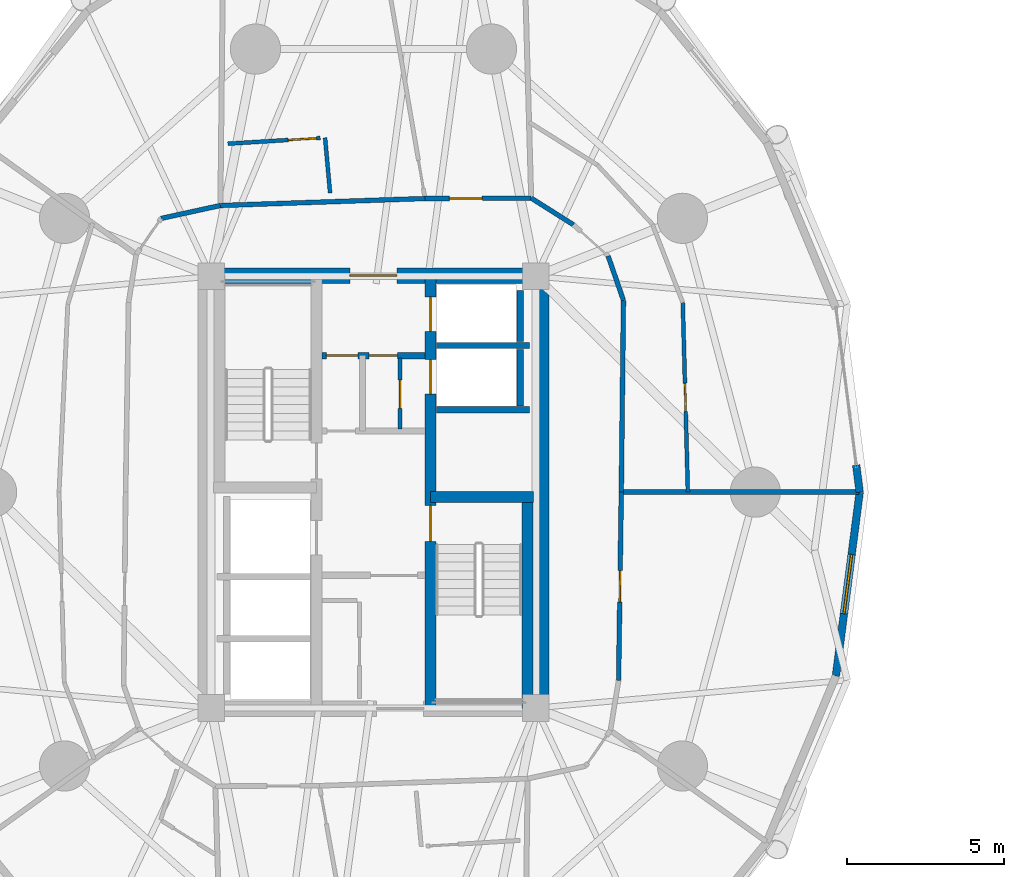
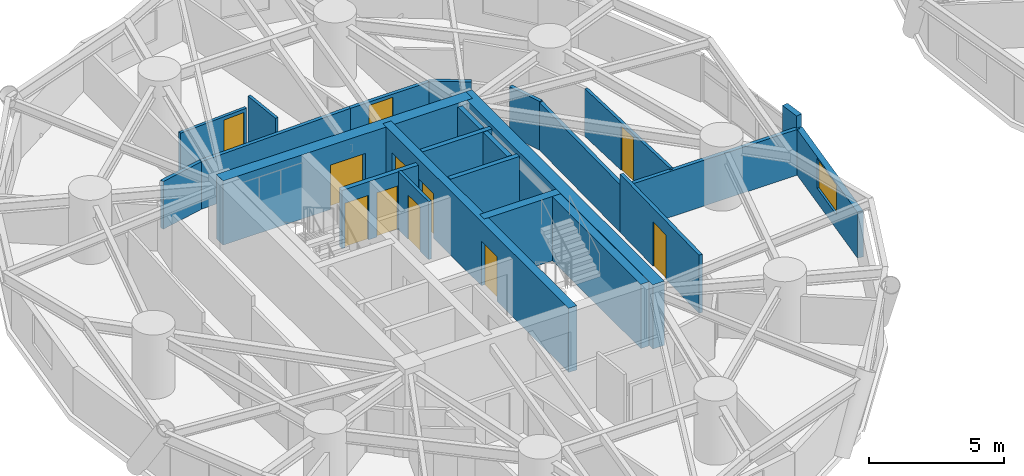
# One storey, part 11 of 18: 24 walls, 11 doors, 1 window, 12 openings.
"""IFC4 building model written with IfcOpenShell, lengths in metres."""

from ifc_helpers import new_model, si_unit, direction, frame, frame_2d, origin, place, context, subcontext, project, spatial, rectangle, extrude, source, transform, mapped, material, layer, layer_set, type_object, element, fill, save


model = new_model("IFC4")

# Units and contexts
model_context = context("Model", 3, precision=1e-05, world=origin(), true_north=direction((0.0, 1.0)))
body_context = subcontext(model_context, "Body", "Model", "MODEL_VIEW")
ifc_project = project(units=[si_unit("LENGTHUNIT", "METRE"), si_unit("AREAUNIT", "SQUARE_METRE"), si_unit("VOLUMEUNIT", "CUBIC_METRE"), si_unit("PLANEANGLEUNIT", "RADIAN"), si_unit("MASSUNIT", "GRAM", prefix="KILO")], contexts=[model_context])

# Site, building, storey
site_placement = place(None, origin())
site = spatial("IfcSite", under=ifc_project, at=site_placement, CompositionType="ELEMENT")
building_placement = place(site_placement, origin())
building = spatial("IfcBuilding", under=site, at=building_placement, Name="Cununo Teusaquillo Station Towers", CompositionType="ELEMENT")
storey_placement = place(building_placement, frame((0.0, 0.0, 45.280029296875)))
storey = spatial("IfcBuildingStorey", under=building, at=storey_placement, Name="L13", CompositionType="ELEMENT", Elevation=45.280029296875)

# Walls
ifc_material_1 = material(Name="Concrete C50/60", Category="concrete")
ifc_layer_1 = layer(ifc_material_1, 0.199951171875)
ifc_layer_set_1 = layer_set([ifc_layer_1], Name="Concrete C50/60")
wall_type_1 = type_object("IfcWallType", Name="WL-CORE-200", PredefinedType="SHEAR", material=ifc_layer_set_1)
for number, where, z_axis, x_axis, name in (
    (1, (18.510009765625, 27.1298828125, 0.0), (0.0, 0.0, 1.0), (1.0, 0.0, 0.0), "L13 Tower A Low-Rise Lift Hoistway South Shear Wall"),
    (2, (18.510009765625, 29.175048828125, 0.0), (0.0, 0.0, 1.0), (1.0, 0.0, 0.0), "L13 Tower A Low-Rise Lift Hoistway Divider Shear Wall"),
):
    element("IfcWall", number, at=place(storey_placement, frame(where, z_axis=z_axis, x_axis=x_axis)), inside=storey, type_object=wall_type_1, Name=name, PredefinedType="SHEAR", context=body_context, shape_type="SweptSolid", body=[
        extrude(rectangle(XDim=2.969970703125, YDim=0.199951171875, at=frame_2d((1.48486328125, 0.0))), origin(), (0.0, 0.0, 1.0), 2.909912109375),
    ])
wall_1_placement = place(storey_placement, frame((21.179931640625, 27.25, 0.0), z_axis=(0.0, 0.0, 1.0), x_axis=(0.0, 1.0, 0.0)))
element("IfcWall", 3, at=wall_1_placement, inside=storey, type_object=wall_type_1, Name="L13 Tower A Low-Rise Lift 1 Shaft Rear Shear Wall", PredefinedType="SHEAR", context=body_context, shape_type="SweptSolid", body=[
    extrude(rectangle(XDim=1.804931640625, YDim=0.199951171875, at=frame_2d((0.90234375, 0.0))), origin(), (0.0, 0.0, 1.0), 2.909912109375),
])
wall_2_placement = place(storey_placement, frame((21.179931640625, 29.294921875, 0.0), z_axis=(0.0, 0.0, 1.0), x_axis=(0.0, 1.0, 0.0)))
element("IfcWall", 4, at=wall_2_placement, inside=storey, type_object=wall_type_1, Name="L13 Tower A Low-Rise Lift 2 Shaft Rear Shear Wall", PredefinedType="SHEAR", context=body_context, shape_type="SweptSolid", body=[
    extrude(rectangle(XDim=1.635009765625, YDim=0.199951171875, at=frame_2d((0.8173828125, 0.0))), origin(), (0.0, 0.0, 1.0), 2.909912109375),
])

# Wall, openings, doors
ifc_material_2 = material(Name="Concrete C50/60", Category="concrete")
ifc_layer_2 = layer(ifc_material_2, 0.35009765625)
ifc_layer_set_2 = layer_set([ifc_layer_2], Name="Concrete C50/60")
wall_type_2 = type_object("IfcWallType", Name="WL-CORE-350", PredefinedType="SHEAR", material=ifc_layer_set_2)
wall_3_placement = place(storey_placement, frame((18.31494140625, 17.60009765625, 0.0), z_axis=(0.0, 0.0, 1.0), x_axis=(0.0, 1.0, 0.0)))
wall_3 = element("IfcWall", 5, at=wall_3_placement, inside=storey, type_object=wall_type_2, Name="L13 Tower A Core Shear Wall IE", PredefinedType="SHEAR", context=body_context, shape_type="SweptSolid", body=[
    extrude(rectangle(XDim=13.7998046875, YDim=0.35009765625, at=frame_2d((6.89990234375, 0.0))), origin(), (0.0, 0.0, 1.0), 2.909912109375),
])
shared_shape_1 = source(origin(), body_context, "Body", "SweptSolid", [
    extrude(rectangle(XDim=1.10009765625, YDim=2.014892578125, at=frame_2d((0.550048828125, 1.00732421875))), frame((0.0, 0.18505859375, 0.0), z_axis=(0.0, -1.0, 0.0), x_axis=(1.0, 0.0, 0.0)), (0.0, 0.0, 1.0), 0.3701171875),
])
opening_1_placement = place(wall_3_placement, frame((10.02490234375, 0.0, 0.0)))
opening_1 = element("IfcOpeningElement", 6, at=opening_1_placement, cuts=wall_3, Name="Opening LD-01", PredefinedType="OPENING", context=body_context, shape_type="MappedRepresentation", body=[
    mapped(shared_shape_1, transform((0.0, 0.0, 0.0), x_axis=(1.0, 0.0, 0.0), y_axis=(0.0, 1.0, 0.0), z_axis=(0.0, 0.0, 1.0), scale=1.0)),
])
opening_2_placement = place(wall_3_placement, frame((12.02490234375, 0.0, 0.0)))
opening_2 = element("IfcOpeningElement", 7, at=opening_2_placement, cuts=wall_3, Name="Opening LD-01", PredefinedType="OPENING", context=body_context, shape_type="MappedRepresentation", body=[
    mapped(shared_shape_1, transform((0.0, 0.0, 0.0), x_axis=(1.0, 0.0, 0.0), y_axis=(0.0, 1.0, 0.0), z_axis=(0.0, 0.0, 1.0), scale=1.0)),
])
shared_shape_2 = source(origin(), body_context, "Body", "SweptSolid", [
    extrude(rectangle(XDim=1.14990234375, YDim=2.02001953125, at=frame_2d((0.574951171875, 1.010009765625))), frame((0.0, 0.18505859375, 0.0), z_axis=(0.0, -1.0, 0.0), x_axis=(1.0, 0.0, 0.0)), (0.0, 0.0, 1.0), 0.3701171875),
])
opening_3_placement = place(wall_3_placement, frame((5.330078125, 0.0, 0.0)))
opening_3 = element("IfcOpeningElement", 8, at=opening_3_placement, cuts=wall_3, Name="Opening D-ST1", PredefinedType="OPENING", context=body_context, shape_type="MappedRepresentation", body=[
    mapped(shared_shape_2, transform((0.0, 0.0, 0.0), x_axis=(1.0, 0.0, 0.0), y_axis=(0.0, 1.0, 0.0), z_axis=(0.0, 0.0, 1.0), scale=1.0)),
])
ifc_material_3 = material(Name="Galvanised fire-rated hollow steel door assembly", Category="steel")
door_type_1 = type_object("IfcDoorType", Name="DR-LIFT-1100", OperationType="SLIDING_TO_LEFT", PredefinedType="DOOR", material=ifc_material_3)
shared_shape_3 = source(origin(), body_context, "Body", "SweptSolid", [
    extrude(rectangle(XDim=1.10009765625, YDim=2.014892578125, at=frame_2d((0.550048828125, 1.00732421875))), frame((0.0, 0.02490234375, 0.0), z_axis=(0.0, -1.0, 0.0), x_axis=(1.0, 0.0, 0.0)), (0.0, 0.0, 1.0), 0.050048828125),
])
door_1_placement = place(opening_1_placement, origin())
door_1 = element("IfcDoor", 9, at=door_1_placement, inside=storey, type_object=door_type_1, Name="L13 Lift PL-T1-L1 Sliding Landing Door", OperationType="SLIDING_TO_LEFT", OverallHeight=2.014892578125, OverallWidth=1.10009765625, PredefinedType="DOOR", context=body_context, shape_type="MappedRepresentation", body=[
    mapped(shared_shape_3, transform((0.0, 0.0, 0.0), x_axis=(1.0, 0.0, 0.0), y_axis=(0.0, 1.0, 0.0), z_axis=(0.0, 0.0, 1.0), scale=1.0)),
])
fill(opening_1, door_1)
door_2_placement = place(opening_2_placement, origin())
door_2 = element("IfcDoor", 10, at=door_2_placement, inside=storey, type_object=door_type_1, Name="L13 Lift PL-T1-L2 Sliding Landing Door", OperationType="SLIDING_TO_RIGHT", OverallHeight=2.014892578125, OverallWidth=1.10009765625, PredefinedType="DOOR", context=body_context, shape_type="MappedRepresentation", body=[
    mapped(shared_shape_3, transform((0.0, 0.0, 0.0), x_axis=(1.0, 0.0, 0.0), y_axis=(0.0, 1.0, 0.0), z_axis=(0.0, 0.0, 1.0), scale=1.0)),
])
fill(opening_2, door_2)
ifc_material_4 = material(Name="Galvanised fire-rated hollow steel door assembly", Category="steel")
door_type_2 = type_object("IfcDoorType", Name="DR-STAIR-1150", OperationType="NOTDEFINED", PredefinedType="DOOR", material=ifc_material_4)
shared_shape_4 = source(origin(), body_context, "Body", "SweptSolid", [
    extrude(rectangle(XDim=1.14990234375, YDim=2.02001953125, at=frame_2d((0.574951171875, 1.010009765625))), frame((0.0, 0.02490234375, 0.0), z_axis=(0.0, -1.0, 0.0), x_axis=(1.0, 0.0, 0.0)), (0.0, 0.0, 1.0), 0.050048828125),
])
door_3_placement = place(opening_3_placement, origin())
door_3 = element("IfcDoor", 11, at=door_3_placement, inside=storey, type_object=door_type_2, Name="L13 Tower A Exit Stair 2 Fire Door", OperationType="SINGLE_SWING_LEFT", OverallHeight=2.02001953125, OverallWidth=1.14990234375, PredefinedType="DOOR", context=body_context, shape_type="MappedRepresentation", body=[
    mapped(shared_shape_4, transform((0.0, 0.0, 0.0), x_axis=(1.0, 0.0, 0.0), y_axis=(0.0, 1.0, 0.0), z_axis=(0.0, 0.0, 1.0), scale=1.0)),
])
fill(opening_3, door_3)

# Walls
wall_4_placement = place(storey_placement, frame((21.405029296875, 17.60009765625, 0.0), z_axis=(0.0, 0.0, 1.0), x_axis=(0.0, 1.0, 0.0)))
element("IfcWall", 12, at=wall_4_placement, inside=storey, type_object=wall_type_2, Name="L13 Tower A Core Shear Wall ST2E", PredefinedType="SHEAR", context=body_context, shape_type="SweptSolid", body=[
    extrude(rectangle(XDim=6.744873046875, YDim=0.35009765625, at=frame_2d((3.37255859375, 0.0))), origin(), (0.0, 0.0, 1.0), 2.909912109375),
])
wall_5_placement = place(storey_placement, frame((18.31494140625, 24.344970703125, 0.0), z_axis=(0.0, 0.0, 1.0), x_axis=(1.0, 0.0, 0.0)))
element("IfcWall", 13, at=wall_5_placement, inside=storey, type_object=wall_type_2, Name="L13 Tower A Core Shear Wall ST2N", PredefinedType="SHEAR", context=body_context, shape_type="SweptSolid", body=[
    extrude(rectangle(XDim=3.28515625, YDim=0.35009765625, at=frame_2d((1.642578125, 0.0))), origin(), (0.0, 0.0, 1.0), 2.909912109375),
])
ifc_material_5 = material(Name="Concrete C60/75", Category="concrete")
ifc_layer_3 = layer(ifc_material_5, 0.5)
ifc_layer_set_3 = layer_set([ifc_layer_3], Name="Concrete C60/75")
wall_type_3 = type_object("IfcWallType", Name="WL-CORE-500", PredefinedType="SHEAR", material=ifc_layer_set_3)
wall_6_placement = place(storey_placement, frame((21.85009765625, 17.35009765625, 0.0), z_axis=(0.0, 0.0, 1.0), x_axis=(0.0, 1.0, 0.0)))
element("IfcWall", 14, at=wall_6_placement, inside=storey, type_object=wall_type_3, Name="L13 Tower A Core Shear Wall E", PredefinedType="SHEAR", context=body_context, shape_type="SweptSolid", body=[
    extrude(rectangle(XDim=14.2998046875, YDim=0.5, at=frame_2d((7.14990234375, 0.0))), origin(), (0.0, 0.0, 1.0), 2.909912109375),
])

# Wall, opening, door
wall_7_placement = place(storey_placement, frame((11.14990234375, 31.39990234375, 0.0), z_axis=(0.0, 0.0, 1.0), x_axis=(1.0, 0.0, 0.0)))
wall_7 = element("IfcWall", 15, at=wall_7_placement, inside=storey, type_object=wall_type_3, Name="L13 Tower A Core Shear Wall N", PredefinedType="SHEAR", context=body_context, shape_type="SweptSolid", body=[
    extrude(rectangle(XDim=10.7001953125, YDim=0.5, at=frame_2d((5.35009765625, 0.0))), origin(), (0.0, 0.0, 1.0), 2.909912109375),
])
shared_shape_5 = source(origin(), body_context, "Body", "SweptSolid", [
    extrude(rectangle(XDim=1.5, YDim=2.02001953125, at=frame_2d((0.75, 1.010009765625))), frame((0.0, 0.260009765625, 0.0), z_axis=(0.0, -1.0, 0.0), x_axis=(1.0, 0.0, 0.0)), (0.0, 0.0, 1.0), 0.52001953125),
])
opening_4_placement = place(wall_7_placement, frame((4.60009765625, 0.0, 0.0)))
opening_4 = element("IfcOpeningElement", 16, at=opening_4_placement, cuts=wall_7, Name="Opening D-LB1", PredefinedType="OPENING", context=body_context, shape_type="MappedRepresentation", body=[
    mapped(shared_shape_5, transform((0.0, 0.0, 0.0), x_axis=(1.0, 0.0, 0.0), y_axis=(0.0, 1.0, 0.0), z_axis=(0.0, 0.0, 1.0), scale=1.0)),
])
ifc_material_6 = material(Name="Galvanised fire-rated hollow steel door assembly", Category="steel")
door_type_3 = type_object("IfcDoorType", Name="DR-LOBBY-1500", OperationType="DOUBLE_DOOR_SINGLE_SWING", PredefinedType="DOOR", material=ifc_material_6)
shared_shape_6 = source(origin(), body_context, "Body", "SweptSolid", [
    extrude(rectangle(XDim=1.5, YDim=2.02001953125, at=frame_2d((0.75, 1.010009765625))), frame((0.0, 0.02490234375, 0.0), z_axis=(0.0, -1.0, 0.0), x_axis=(1.0, 0.0, 0.0)), (0.0, 0.0, 1.0), 0.050048828125),
])
door_4_placement = place(opening_4_placement, origin())
door_4 = element("IfcDoor", 17, at=door_4_placement, inside=storey, type_object=door_type_3, Name="L13 Tower A North Core Lift Lobby Door", OperationType="DOUBLE_DOOR_SINGLE_SWING", OverallHeight=2.02001953125, OverallWidth=1.5, PredefinedType="DOOR", context=body_context, shape_type="MappedRepresentation", body=[
    mapped(shared_shape_6, transform((0.0, 0.0, 0.0), x_axis=(1.0, 0.0, 0.0), y_axis=(0.0, 1.0, 0.0), z_axis=(0.0, 0.0, 1.0), scale=1.0)),
])
fill(opening_4, door_4)

# Wall
ifc_material_7 = material(Name="Precast concrete C40/50", Category="concrete")
ifc_layer_4 = layer(ifc_material_7, 0.239990234375)
ifc_layer_set_4 = layer_set([ifc_layer_4], Name="Precast concrete C40/50")
wall_type_4 = type_object("IfcWallType", Name="WL-EXT-240", PredefinedType="SOLIDWALL", material=ifc_layer_set_4)
wall_8_placement = place(storey_placement, frame((31.88720703125, 25.36279296875, 0.0), z_axis=(0.0, 0.0, 1.0), x_axis=(0.128523364007, -0.991706481225, 0.0)))
element("IfcWall", 18, at=wall_8_placement, inside=storey, type_object=wall_type_4, Name="L13 Tower A Column Pier Cladding Wall C00-PB", PredefinedType="SOLIDWALL", context=body_context, shape_type="SweptSolid", body=[
    extrude(rectangle(XDim=0.8701171875, YDim=0.239990234375, at=frame_2d((0.43505859375, 0.0))), origin(), (0.0, 0.0, 1.0), 2.635009765625),
])

# Wall, opening, window
wall_9_placement = place(storey_placement, frame((31.9990234375, 24.5, 0.0), z_axis=(0.0, 0.0, 1.0), x_axis=(-0.128329107357, -0.991731637191, 0.0)))
wall_9 = element("IfcWall", 19, at=wall_9_placement, inside=storey, type_object=wall_type_4, Name="L13 Tower A Exterior Facade Wall C19", PredefinedType="SOLIDWALL", context=body_context, shape_type="SweptSolid", body=[
    extrude(rectangle(XDim=5.910888671875, YDim=0.239990234375, at=frame_2d((2.95556640625, 0.0))), origin(), (0.0, 0.0, 1.0), 2.072998046875),
])
shared_shape_7 = source(origin(), body_context, "Body", "SweptSolid", [
    extrude(rectangle(XDim=1.89990234375, YDim=1.35009765625, at=frame_2d((0.949951171875, 0.675048828125))), frame((0.0, 0.1298828125, 0.0), z_axis=(0.0, -1.0, 0.0), x_axis=(1.0, 0.0, 0.0)), (0.0, 0.0, 1.0), 0.260009765625),
])
opening_5_placement = place(wall_9_placement, frame((2.0048828125, 0.0, 0.64990234375)))
opening_5 = element("IfcOpeningElement", 20, at=opening_5_placement, cuts=wall_9, Name="Opening WN-02", PredefinedType="OPENING", context=body_context, shape_type="MappedRepresentation", body=[
    mapped(shared_shape_7, transform((0.0, 0.0, 0.0), x_axis=(1.0, 0.0, 0.0), y_axis=(0.0, 1.0, 0.0), z_axis=(0.0, 0.0, 1.0), scale=1.0)),
])
ifc_material_8 = material(Name="Operable acoustic tinted low-E double glazing", Category="glass")
window_type = type_object("IfcWindowType", Name="WIN-OPER-1900", PartitioningType="DOUBLE_PANEL_VERTICAL", PredefinedType="WINDOW", material=ifc_material_8)
shared_shape_8 = source(origin(), body_context, "Body", "SweptSolid", [
    extrude(rectangle(XDim=1.89990234375, YDim=1.35009765625, at=frame_2d((0.949951171875, 0.675048828125))), frame((0.0, 0.030029296875, 0.0), z_axis=(0.0, -1.0, 0.0), x_axis=(1.0, 0.0, 0.0)), (0.0, 0.0, 1.0), 0.06005859375),
])
window_placement = place(opening_5_placement, origin())
window = element("IfcWindow", 21, at=window_placement, inside=storey, type_object=window_type, Name="L13 Tower A Facade Window C19", OverallHeight=1.35009765625, OverallWidth=1.89990234375, PartitioningType="DOUBLE_PANEL_VERTICAL", PredefinedType="WINDOW", context=body_context, shape_type="MappedRepresentation", body=[
    mapped(shared_shape_8, transform((0.0, 0.0, 0.0), x_axis=(1.0, 0.0, 0.0), y_axis=(0.0, 1.0, 0.0), z_axis=(0.0, 0.0, 1.0), scale=1.0)),
])
fill(opening_5, window)

# Wall, opening, door
ifc_material_9 = material(Name="Fire-rated gypsum plasterboard partition assembly", Category="gypsum")
ifc_layer_5 = layer(ifc_material_9, 0.125)
ifc_layer_set_5 = layer_set([ifc_layer_5], Name="Fire-rated gypsum plasterboard partition assembly")
wall_type_5 = type_object("IfcWallType", Name="WL-PART-125", PredefinedType="PARTITIONING", material=ifc_layer_set_5)
wall_10_placement = place(storey_placement, frame((17.35009765625, 26.52001953125, 0.0), z_axis=(0.0, 0.0, 1.0), x_axis=(0.0, 1.0, 0.0)))
wall_10 = element("IfcWall", 22, at=wall_10_placement, inside=storey, type_object=wall_type_5, Name="L13 Tower A Core Vertical Split Wall", PredefinedType="PARTITIONING", context=body_context, shape_type="SweptSolid", body=[
    extrude(rectangle(XDim=2.260009765625, YDim=0.125, at=frame_2d((1.1298828125, 0.0))), origin(), (0.0, 0.0, 1.0), 2.635009765625),
])
shared_shape_9 = source(origin(), body_context, "Body", "SweptSolid", [
    extrude(rectangle(XDim=0.89990234375, YDim=2.0048828125, at=frame_2d((0.449951171875, 1.00244140625))), frame((0.0, 0.072509765625, 0.0), z_axis=(0.0, -1.0, 0.0), x_axis=(1.0, 0.0, 0.0)), (0.0, 0.0, 1.0), 0.14501953125),
])
opening_6_placement = place(wall_10_placement, frame((0.64990234375, 0.0, 0.0)))
opening_6 = element("IfcOpeningElement", 23, at=opening_6_placement, cuts=wall_10, Name="Opening D-SR1", PredefinedType="OPENING", context=body_context, shape_type="MappedRepresentation", body=[
    mapped(shared_shape_9, transform((0.0, 0.0, 0.0), x_axis=(1.0, 0.0, 0.0), y_axis=(0.0, 1.0, 0.0), z_axis=(0.0, 0.0, 1.0), scale=1.0)),
])
ifc_material_10 = material(Name="Galvanised fire-rated hollow steel door assembly", Category="steel")
door_type_4 = type_object("IfcDoorType", Name="DR-STORE-900", OperationType="NOTDEFINED", PredefinedType="DOOR", material=ifc_material_10)
shared_shape_10 = source(origin(), body_context, "Body", "SweptSolid", [
    extrude(rectangle(XDim=0.89990234375, YDim=2.0048828125, at=frame_2d((0.449951171875, 1.00244140625))), frame((0.0, 0.02490234375, 0.0), z_axis=(0.0, -1.0, 0.0), x_axis=(1.0, 0.0, 0.0)), (0.0, 0.0, 1.0), 0.050048828125),
])
door_5_placement = place(opening_6_placement, origin())
door_5 = element("IfcDoor", 24, at=door_5_placement, inside=storey, type_object=door_type_4, Name="L13 Tower A Core Electrical Room Door", OperationType="SINGLE_SWING_RIGHT", OverallHeight=2.0048828125, OverallWidth=0.89990234375, PredefinedType="DOOR", context=body_context, shape_type="MappedRepresentation", body=[
    mapped(shared_shape_10, transform((0.0, 0.0, 0.0), x_axis=(1.0, 0.0, 0.0), y_axis=(0.0, 1.0, 0.0), z_axis=(0.0, 0.0, 1.0), scale=1.0)),
])
fill(opening_6, door_5)

wall_11_placement = place(storey_placement, frame((26.522216796875, 24.5, 0.0), z_axis=(0.0, 0.0, 1.0), x_axis=(-0.026902612335, 0.999638059224, 0.0)))
wall_11 = element("IfcWall", 25, at=wall_11_placement, inside=storey, type_object=wall_type_5, Name="L13 Tower A Hotel Grand Dining & Tea Lounge Concentric Partition Wall C00", PredefinedType="PARTITIONING", context=body_context, shape_type="SweptSolid", body=[
    extrude(rectangle(XDim=6.0439453125, YDim=0.125, at=frame_2d((3.02197265625, 0.0))), origin(), (0.0, 0.0, 1.0), 2.158935546875),
])
opening_7_placement = place(wall_11_placement, frame((2.572021484375, 0.0, 0.0)))
opening_7 = element("IfcOpeningElement", 26, at=opening_7_placement, cuts=wall_11, Name="Opening D-IN1", PredefinedType="OPENING", context=body_context, shape_type="MappedRepresentation", body=[
    mapped(shared_shape_9, transform((0.0, 0.0, 0.0), x_axis=(1.0, 0.0, 0.0), y_axis=(0.0, 1.0, 0.0), z_axis=(0.0, 0.0, 1.0), scale=1.0)),
])
ifc_material_11 = material(Name="Acoustic solid-core hardwood leaf assembly", Category="wood")
door_type_5 = type_object("IfcDoorType", Name="DR-INT-900", OperationType="NOTDEFINED", PredefinedType="DOOR", material=ifc_material_11)
door_6_placement = place(opening_7_placement, origin())
door_6 = element("IfcDoor", 27, at=door_6_placement, inside=storey, type_object=door_type_5, Name="L13 Tower A Hotel Grand Dining & Tea Lounge Connecting Door", OperationType="SINGLE_SWING_RIGHT", OverallHeight=2.0048828125, OverallWidth=0.89990234375, PredefinedType="DOOR", context=body_context, shape_type="MappedRepresentation", body=[
    mapped(shared_shape_10, transform((0.0, 0.0, 0.0), x_axis=(1.0, 0.0, 0.0), y_axis=(0.0, 1.0, 0.0), z_axis=(0.0, 0.0, 1.0), scale=1.0)),
])
fill(opening_7, door_6)

# Wall
wall_12_placement = place(storey_placement, frame((15.116943359375, 34.03515625, 0.0), z_axis=(0.0, 0.0, 1.0), x_axis=(-0.090498430303, 0.995896598103, 0.0)))
element("IfcWall", 28, at=wall_12_placement, inside=storey, type_object=wall_type_5, Name="L13 Tower A S02 En-suite Side Wall", PredefinedType="PARTITIONING", context=body_context, shape_type="SweptSolid", body=[
    extrude(rectangle(XDim=1.769775390625, YDim=0.125, at=frame_2d((0.884765625, 0.0))), origin(), (0.0, 0.0, 1.0), 2.635009765625),
])

# Wall, opening, door
wall_13_placement = place(storey_placement, frame((14.80322265625, 35.7880859375, 0.0), z_axis=(0.0, 0.0, 1.0), x_axis=(-0.998116078946, -0.06135383403, 0.0)))
wall_13 = element("IfcWall", 29, at=wall_13_placement, inside=storey, type_object=wall_type_5, Name="L13 Tower A S02 En-suite Back Wall", PredefinedType="PARTITIONING", context=body_context, shape_type="SweptSolid", body=[
    extrude(rectangle(XDim=2.95263671875, YDim=0.125, at=frame_2d((1.476318359375, 0.0))), origin(), (0.0, 0.0, 1.0), 2.158935546875),
])
opening_8_placement = place(wall_13_placement, frame((0.1201171875, 0.0, 0.0)))
opening_8 = element("IfcOpeningElement", 30, at=opening_8_placement, cuts=wall_13, Name="Opening D-IN1", PredefinedType="OPENING", context=body_context, shape_type="MappedRepresentation", body=[
    mapped(shared_shape_9, transform((0.0, 0.0, 0.0), x_axis=(1.0, 0.0, 0.0), y_axis=(0.0, 1.0, 0.0), z_axis=(0.0, 0.0, 1.0), scale=1.0)),
])
door_7_placement = place(opening_8_placement, origin())
door_7 = element("IfcDoor", 31, at=door_7_placement, inside=storey, type_object=door_type_5, Name="L13 Tower A S02 En-suite Bathroom Door", OperationType="SINGLE_SWING_LEFT", OverallHeight=2.0048828125, OverallWidth=0.89990234375, PredefinedType="DOOR", context=body_context, shape_type="MappedRepresentation", body=[
    mapped(shared_shape_10, transform((0.0, 0.0, 0.0), x_axis=(1.0, 0.0, 0.0), y_axis=(0.0, 1.0, 0.0), z_axis=(0.0, 0.0, 1.0), scale=1.0)),
])
fill(opening_8, door_7)

# Walls
ifc_material_12 = material(Name="Fire-rated gypsum plasterboard partition assembly", Category="gypsum")
ifc_layer_6 = layer(ifc_material_12, 0.14990234375)
ifc_layer_set_6 = layer_set([ifc_layer_6], Name="Fire-rated gypsum plasterboard partition assembly")
wall_type_6 = type_object("IfcWallType", Name="WL-PART-150", PredefinedType="PARTITIONING", material=ifc_layer_set_6)
wall_14_placement = place(storey_placement, frame((24.39990234375, 24.5, 0.0), z_axis=(0.0, 0.0, 1.0), x_axis=(0.011299841544, 0.999936154752, 0.0)))
element("IfcWall", 32, at=wall_14_placement, inside=storey, type_object=wall_type_6, Name="L13 Tower A Corridor Ring Wall C00", PredefinedType="PARTITIONING", context=body_context, shape_type="SweptSolid", body=[
    extrude(rectangle(XDim=6.114501953125, YDim=0.14990234375, at=frame_2d((3.05712890625, 0.0))), origin(), (0.0, 0.0, 1.0), 2.158935546875),
])
wall_15_placement = place(storey_placement, frame((24.468994140625, 30.614013671875, 0.0), z_axis=(0.0, 0.0, 1.0), x_axis=(-0.327228335485, 0.944945298129, 0.0)))
element("IfcWall", 33, at=wall_15_placement, inside=storey, type_object=wall_type_6, Name="L13 Tower A Corridor Ring Wall C01", PredefinedType="PARTITIONING", context=body_context, shape_type="SweptSolid", body=[
    extrude(rectangle(XDim=1.4951171875, YDim=0.14990234375, at=frame_2d((0.74755859375, 0.0))), origin(), (0.0, 0.0, 1.0), 2.205078125),
])
wall_16_placement = place(storey_placement, frame((22.87744140625, 33.021728515625, 0.0), z_axis=(0.0, 0.0, 1.0), x_axis=(-0.845895608855, 0.533348496689, 0.0)))
element("IfcWall", 34, at=wall_16_placement, inside=storey, type_object=wall_type_6, Name="L13 Tower A Corridor Ring Wall C03", PredefinedType="PARTITIONING", context=body_context, shape_type="SweptSolid", body=[
    extrude(rectangle(XDim=1.5966796875, YDim=0.14990234375, at=frame_2d((0.79833984375, 0.0))), origin(), (0.0, 0.0, 1.0), 2.205078125),
])

# Wall, opening, door
wall_17_placement = place(storey_placement, frame((21.52685546875, 33.873291015625, 0.0), z_axis=(0.0, 0.0, 1.0), x_axis=(-0.999991838845, -0.004040079574, 0.0)))
wall_17 = element("IfcWall", 35, at=wall_17_placement, inside=storey, type_object=wall_type_6, Name="L13 Tower A Corridor Ring Wall C04", PredefinedType="PARTITIONING", context=body_context, shape_type="SweptSolid", body=[
    extrude(rectangle(XDim=3.384033203125, YDim=0.14990234375, at=frame_2d((1.69189453125, 0.0))), origin(), (0.0, 0.0, 1.0), 2.158935546875),
])
shared_shape_11 = source(origin(), body_context, "Body", "SweptSolid", [
    extrude(rectangle(XDim=1.050048828125, YDim=2.014892578125, at=frame_2d((0.52490234375, 1.00732421875))), frame((0.0, 0.0849609375, 0.0), z_axis=(0.0, -1.0, 0.0), x_axis=(1.0, 0.0, 0.0)), (0.0, 0.0, 1.0), 0.169921875),
])
opening_9_placement = place(wall_17_placement, frame((1.5595703125, 0.0, 0.0)))
opening_9 = element("IfcOpeningElement", 36, at=opening_9_placement, cuts=wall_17, Name="Opening D-SU1", PredefinedType="OPENING", context=body_context, shape_type="MappedRepresentation", body=[
    mapped(shared_shape_11, transform((0.0, 0.0, 0.0), x_axis=(1.0, 0.0, 0.0), y_axis=(0.0, 1.0, 0.0), z_axis=(0.0, 0.0, 1.0), scale=1.0)),
])
ifc_material_13 = material(Name="Acoustic solid-core hardwood leaf assembly", Category="wood")
door_type_6 = type_object("IfcDoorType", Name="DR-SUITE-1050", OperationType="NOTDEFINED", PredefinedType="DOOR", material=ifc_material_13)
shared_shape_12 = source(origin(), body_context, "Body", "SweptSolid", [
    extrude(rectangle(XDim=1.050048828125, YDim=2.014892578125, at=frame_2d((0.52490234375, 1.00732421875))), frame((0.0, 0.02490234375, 0.0), z_axis=(0.0, -1.0, 0.0), x_axis=(1.0, 0.0, 0.0)), (0.0, 0.0, 1.0), 0.050048828125),
])
door_8_placement = place(opening_9_placement, origin())
door_8 = element("IfcDoor", 37, at=door_8_placement, inside=storey, type_object=door_type_6, Name="L13 Tower A Royal Corner Hotel Suite Entrance Door", OperationType="SINGLE_SWING_LEFT", OverallHeight=2.014892578125, OverallWidth=1.050048828125, PredefinedType="DOOR", context=body_context, shape_type="MappedRepresentation", body=[
    mapped(shared_shape_12, transform((0.0, 0.0, 0.0), x_axis=(1.0, 0.0, 0.0), y_axis=(0.0, 1.0, 0.0), z_axis=(0.0, 0.0, 1.0), scale=1.0)),
])
fill(opening_9, door_8)

# Walls
wall_18_placement = place(storey_placement, frame((18.142822265625, 33.859619140625, 0.0), z_axis=(0.0, 0.0, 1.0), x_axis=(-0.999419208319, -0.034077060363, 0.0)))
element("IfcWall", 38, at=wall_18_placement, inside=storey, type_object=wall_type_6, Name="L13 Tower A Corridor Ring Wall C05", PredefinedType="PARTITIONING", context=body_context, shape_type="SweptSolid", body=[
    extrude(rectangle(XDim=6.52685546875, YDim=0.14990234375, at=frame_2d((3.263427734375, 0.0))), origin(), (0.0, 0.0, 1.0), 2.158935546875),
])
wall_19_placement = place(storey_placement, frame((11.619873046875, 33.63720703125, 0.0), z_axis=(0.0, 0.0, 1.0), x_axis=(-0.97702579435, -0.213121085711, 0.0)))
element("IfcWall", 39, at=wall_19_placement, inside=storey, type_object=wall_type_6, Name="L13 Tower A Corridor Ring Wall C06", PredefinedType="PARTITIONING", context=body_context, shape_type="SweptSolid", body=[
    extrude(rectangle(XDim=1.934814453125, YDim=0.14990234375, at=frame_2d((0.96728515625, 0.0))), origin(), (0.0, 0.0, 1.0), 2.158935546875),
])

# Wall, opening, door
wall_20_placement = place(storey_placement, frame((24.3134765625, 18.496337890625, 0.0), z_axis=(0.0, 0.0, 1.0), x_axis=(0.014394019188, 0.999896400739, 0.0)))
wall_20 = element("IfcWall", 40, at=wall_20_placement, inside=storey, type_object=wall_type_6, Name="L13 Tower A Corridor Ring Wall C19", PredefinedType="PARTITIONING", context=body_context, shape_type="SweptSolid", body=[
    extrude(rectangle(XDim=6.00439453125, YDim=0.14990234375, at=frame_2d((3.002197265625, 0.0))), origin(), (0.0, 0.0, 1.0), 2.635009765625),
])
shared_shape_13 = source(origin(), body_context, "Body", "SweptSolid", [
    extrude(rectangle(XDim=1.0, YDim=2.014892578125, at=frame_2d((0.5, 1.00732421875))), frame((0.0, 0.0849609375, 0.0), z_axis=(0.0, -1.0, 0.0), x_axis=(1.0, 0.0, 0.0)), (0.0, 0.0, 1.0), 0.169921875),
])
opening_10_placement = place(wall_20_placement, frame((2.502197265625, 0.0, 0.0)))
opening_10 = element("IfcOpeningElement", 41, at=opening_10_placement, cuts=wall_20, Name="Opening D-AC1", PredefinedType="OPENING", context=body_context, shape_type="MappedRepresentation", body=[
    mapped(shared_shape_13, transform((0.0, 0.0, 0.0), x_axis=(1.0, 0.0, 0.0), y_axis=(0.0, 1.0, 0.0), z_axis=(0.0, 0.0, 1.0), scale=1.0)),
])
ifc_material_14 = material(Name="Acoustic solid-core hardwood leaf assembly", Category="wood")
door_type_7 = type_object("IfcDoorType", Name="DR-ACC-1000", OperationType="NOTDEFINED", PredefinedType="DOOR", material=ifc_material_14)
shared_shape_14 = source(origin(), body_context, "Body", "SweptSolid", [
    extrude(rectangle(XDim=1.0, YDim=2.014892578125, at=frame_2d((0.5, 1.00732421875))), frame((0.0, 0.02490234375, 0.0), z_axis=(0.0, -1.0, 0.0), x_axis=(1.0, 0.0, 0.0)), (0.0, 0.0, 1.0), 0.050048828125),
])
door_9_placement = place(opening_10_placement, origin())
door_9 = element("IfcDoor", 42, at=door_9_placement, inside=storey, type_object=door_type_7, Name="L13 Tower A Public Accessible Restroom WC Entrance Door", OperationType="SINGLE_SWING_LEFT", OverallHeight=2.014892578125, OverallWidth=1.0, PredefinedType="DOOR", context=body_context, shape_type="MappedRepresentation", body=[
    mapped(shared_shape_14, transform((0.0, 0.0, 0.0), x_axis=(1.0, 0.0, 0.0), y_axis=(0.0, 1.0, 0.0), z_axis=(0.0, 0.0, 1.0), scale=1.0)),
])
fill(opening_10, door_9)

# Wall
ifc_material_15 = material(Name="Fire-rated gypsum plasterboard partition assembly", Category="gypsum")
ifc_layer_7 = layer(ifc_material_15, 0.159912109375)
ifc_layer_set_7 = layer_set([ifc_layer_7], Name="Fire-rated gypsum plasterboard partition assembly")
wall_type_7 = type_object("IfcWallType", Name="WL-PART-160", PredefinedType="PARTITIONING", material=ifc_layer_set_7)
wall_21_placement = place(storey_placement, frame((24.39990234375, 24.5, 0.0), z_axis=(0.0, 0.0, 1.0), x_axis=(1.0, 0.0, 0.0)))
element("IfcWall", 43, at=wall_21_placement, inside=storey, type_object=wall_type_7, Name="L13 Tower A Radial Suite Partition R01", PredefinedType="PARTITIONING", context=body_context, shape_type="SweptSolid", body=[
    extrude(rectangle(XDim=7.5791015625, YDim=0.159912109375, at=frame_2d((3.78955078125, 0.0))), origin(), (0.0, 0.0, 1.0), 2.072998046875),
])

# Wall, openings, doors
ifc_material_16 = material(Name="Fire-rated gypsum plasterboard partition assembly", Category="gypsum")
ifc_layer_8 = layer(ifc_material_16, 0.199951171875)
ifc_layer_set_8 = layer_set([ifc_layer_8], Name="Fire-rated gypsum plasterboard partition assembly")
wall_type_8 = type_object("IfcWallType", Name="WL-PART-200", PredefinedType="PARTITIONING", material=ifc_layer_set_8)
wall_22_placement = place(storey_placement, frame((14.860107421875, 28.85009765625, 0.0), z_axis=(0.0, 0.0, 1.0), x_axis=(1.0, 0.0, 0.0)))
wall_22 = element("IfcWall", 44, at=wall_22_placement, inside=storey, type_object=wall_type_8, Name="L13 Tower A North Lift Lobby South Fire Wall", PredefinedType="PARTITIONING", context=body_context, shape_type="SweptSolid", body=[
    extrude(rectangle(XDim=3.27978515625, YDim=0.199951171875, at=frame_2d((1.639892578125, 0.0))), origin(), (0.0, 0.0, 1.0), 2.635009765625),
])
shared_shape_15 = source(origin(), body_context, "Body", "SweptSolid", [
    extrude(rectangle(XDim=1.0, YDim=2.014892578125, at=frame_2d((0.5, 1.00732421875))), frame((0.0, 0.10986328125, 0.0), z_axis=(0.0, -1.0, 0.0), x_axis=(1.0, 0.0, 0.0)), (0.0, 0.0, 1.0), 0.219970703125),
])
opening_11_placement = place(wall_22_placement, frame((0.139892578125, 0.0, 0.0)))
opening_11 = element("IfcOpeningElement", 45, at=opening_11_placement, cuts=wall_22, Name="Opening D-AC1", PredefinedType="OPENING", context=body_context, shape_type="MappedRepresentation", body=[
    mapped(shared_shape_15, transform((0.0, 0.0, 0.0), x_axis=(1.0, 0.0, 0.0), y_axis=(0.0, 1.0, 0.0), z_axis=(0.0, 0.0, 1.0), scale=1.0)),
])
shared_shape_16 = source(origin(), body_context, "Body", "SweptSolid", [
    extrude(rectangle(XDim=0.89990234375, YDim=2.0048828125, at=frame_2d((0.449951171875, 1.00244140625))), frame((0.0, 0.10986328125, 0.0), z_axis=(0.0, -1.0, 0.0), x_axis=(1.0, 0.0, 0.0)), (0.0, 0.0, 1.0), 0.219970703125),
])
opening_12_placement = place(wall_22_placement, frame((1.5, 0.0, 0.0)))
opening_12 = element("IfcOpeningElement", 46, at=opening_12_placement, cuts=wall_22, Name="Opening D-SR1", PredefinedType="OPENING", context=body_context, shape_type="MappedRepresentation", body=[
    mapped(shared_shape_16, transform((0.0, 0.0, 0.0), x_axis=(1.0, 0.0, 0.0), y_axis=(0.0, 1.0, 0.0), z_axis=(0.0, 0.0, 1.0), scale=1.0)),
])
door_10_placement = place(opening_12_placement, origin())
door_10 = element("IfcDoor", 47, at=door_10_placement, inside=storey, type_object=door_type_4, Name="L13 Tower A Core Housekeeping Store Door", OperationType="SINGLE_SWING_LEFT", OverallHeight=2.0048828125, OverallWidth=0.89990234375, PredefinedType="DOOR", context=body_context, shape_type="MappedRepresentation", body=[
    mapped(shared_shape_10, transform((0.0, 0.0, 0.0), x_axis=(1.0, 0.0, 0.0), y_axis=(0.0, 1.0, 0.0), z_axis=(0.0, 0.0, 1.0), scale=1.0)),
])
fill(opening_12, door_10)
door_11_placement = place(opening_11_placement, origin())
door_11 = element("IfcDoor", 48, at=door_11_placement, inside=storey, type_object=door_type_7, Name="L13 Tower A North Lift Lobby to Stair 1 Vestibule Door", OperationType="SINGLE_SWING_LEFT", OverallHeight=2.014892578125, OverallWidth=1.0, PredefinedType="DOOR", context=body_context, shape_type="MappedRepresentation", body=[
    mapped(shared_shape_14, transform((0.0, 0.0, 0.0), x_axis=(1.0, 0.0, 0.0), y_axis=(0.0, 1.0, 0.0), z_axis=(0.0, 0.0, 1.0), scale=1.0)),
])
fill(opening_11, door_11)

save(model, "model.ifc")
